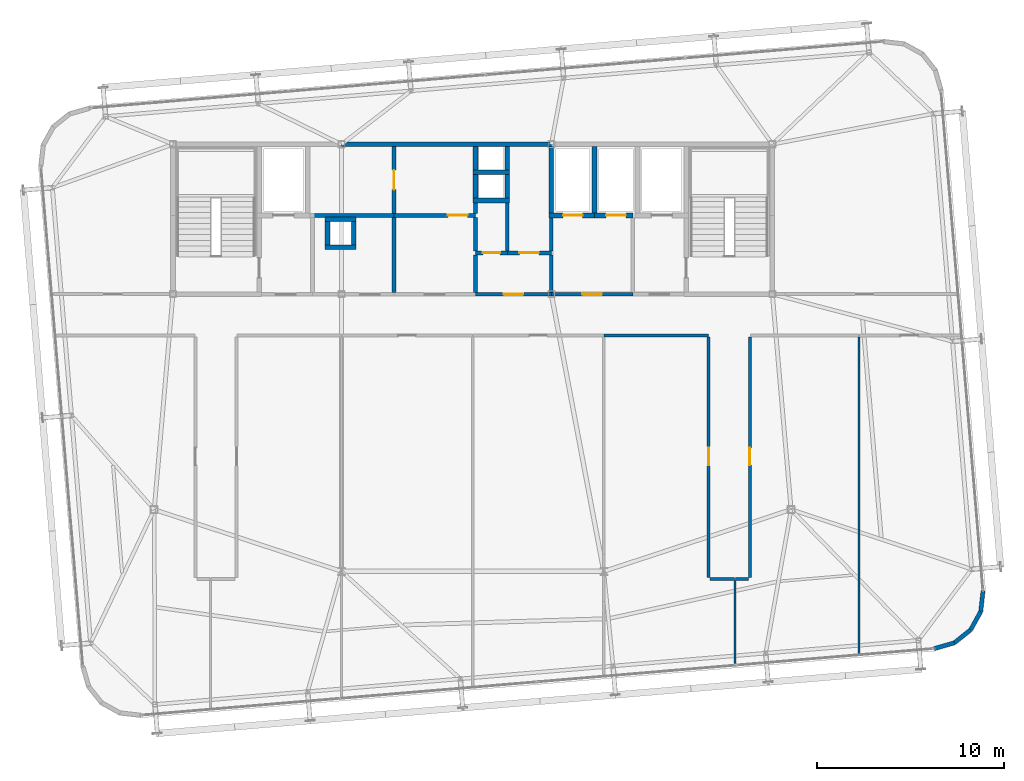
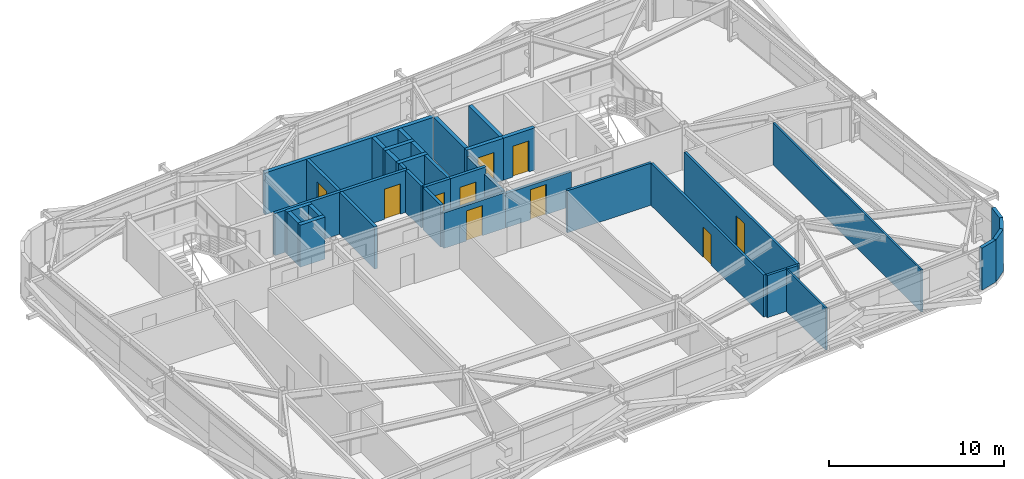
# One storey, part 34 of 37: 40 walls, 10 doors, 10 openings.
"""IFC4 building model written with IfcOpenShell, lengths in metres."""

import ifcopenshell
import ifcopenshell.guid

model = None  # the IFC model being written
_history = None  # IfcOwnerHistory: only IFC2X3 demands one
_inside = {}  # id of a spatial element -> (the spatial element, [elements in it])
_under = {}  # id of a project, library or spatial element -> (it, [spatial elements below it])
_declared = {}  # id of a project -> (the project, [libraries it declares])
_typed = {}  # id of a type object -> (the type object, [elements of that type])
_made_of = {}  # id of a material, layer set ... -> (it, [elements and type objects made of it])


def new_model(schema):
    """Start an empty IFC model of exactly this schema.

    Asked for "IFC4X3", IfcOpenShell would pick the latest addendum, in which some entities
    have other attributes; the version numbers below select the first issue.
    IFC2X3 requires an IfcOwnerHistory on every rooted entity: one is made here for all.
    """
    global model, _history
    if schema == "IFC4X3":
        model = ifcopenshell.file(schema_version=(4, 3, 0, 0))
    else:
        model = ifcopenshell.file(schema=schema)
    _inside.clear()
    _under.clear()
    _declared.clear()
    _typed.clear()
    _made_of.clear()
    _history = None
    if model.schema == "IFC2X3":
        org = make("IfcOrganization", Name="unknown")
        user = make(
            "IfcPersonAndOrganization",
            ThePerson=make("IfcPerson", FamilyName="unknown"),
            TheOrganization=org,
        )
        app = make(
            "IfcApplication",
            ApplicationDeveloper=org,
            Version="unknown",
            ApplicationFullName="unknown",
            ApplicationIdentifier="unknown",
        )
        _history = make(
            "IfcOwnerHistory",
            OwningUser=user,
            OwningApplication=app,
            ChangeAction="ADDED",
            CreationDate=0,
        )
    return model


def make(cls, **values):
    """One entity of the class cls with the attributes given. An attribute that is None is left unset."""
    return model.create_entity(
        cls, **{name: value for name, value in values.items() if value is not None}
    )


def rooted(cls, **values):
    """An entity with a GlobalId (a new one), such as an element, a storey or a relation."""
    return make(cls, GlobalId=ifcopenshell.guid.new(), OwnerHistory=_history, **values)


def si_unit(unit_type, name, prefix=None):
    """IfcSIUnit, for example si_unit("LENGTHUNIT", "METRE", prefix="MILLI")."""
    return make("IfcSIUnit", UnitType=unit_type, Prefix=prefix, Name=name)


def assignment(units):
    """IfcUnitAssignment: the units of a project."""
    return None if units is None else make("IfcUnitAssignment", Units=units)


def point(xyz):
    """IfcCartesianPoint."""
    return None if xyz is None else make("IfcCartesianPoint", Coordinates=xyz)


def direction(xyz):
    """IfcDirection."""
    return None if xyz is None else make("IfcDirection", DirectionRatios=xyz)


def frame(location, z_axis=None, x_axis=None):
    """IfcAxis2Placement3D, a coordinate frame: its origin and axes. An axis left out is left unset."""
    return make(
        "IfcAxis2Placement3D",
        Location=point(location),
        Axis=direction(z_axis),
        RefDirection=direction(x_axis),
    )


def frame_2d(location, x_axis=None):
    """IfcAxis2Placement2D, a coordinate frame in the plane: its origin and x axis."""
    return make(
        "IfcAxis2Placement2D", Location=point(location), RefDirection=direction(x_axis)
    )


def origin():
    """The frame at (0, 0, 0) with its axes left unset."""
    return frame((0.0, 0.0, 0.0))


def place(relative_to, where):
    """IfcLocalPlacement: puts the frame where relative to a parent placement (None: the world)."""
    return make(
        "IfcLocalPlacement", PlacementRelTo=relative_to, RelativePlacement=where
    )


def context(
    kind, dimensions, precision=None, world=None, true_north=None, identifier=None
):
    """IfcGeometricRepresentationContext, for example the 3D "Model" context."""
    return make(
        "IfcGeometricRepresentationContext",
        ContextIdentifier=identifier,
        ContextType=kind,
        CoordinateSpaceDimension=dimensions,
        Precision=precision,
        WorldCoordinateSystem=world,
        TrueNorth=true_north,
    )


def subcontext(parent, identifier, kind, view, scale=None):
    """IfcGeometricRepresentationSubContext, for example "Body" below "Model"."""
    return make(
        "IfcGeometricRepresentationSubContext",
        ContextIdentifier=identifier,
        ContextType=kind,
        ParentContext=parent,
        TargetScale=scale,
        TargetView=view,
    )


def project(units=None, contexts=None):
    """IfcProject with its units and contexts."""
    return rooted(
        "IfcProject",
        Name="project",
        RepresentationContexts=contexts,
        UnitsInContext=assignment(units),
    )


def spatial(cls, under=None, at=None, **own):
    """A site, building, storey or space (cls), placed at a placement, below another one or the project."""
    s = rooted(cls, ObjectPlacement=at, **own)
    if under is not None:
        _under.setdefault(under.id(), (under, []))[1].append(s)
    return s


def profile(cls, at=None, kind="AREA", **sizes):
    """A parametric profile (cls). Its sizes go by their IFC names, for example OverallWidth=200.0."""
    return make(cls, ProfileType=kind, Position=at, **sizes)


def rectangle(**sizes):
    """IfcRectangleProfileDef."""
    return profile("IfcRectangleProfileDef", **sizes)


def extrude(swept, where, along, depth):
    """IfcExtrudedAreaSolid: the profile swept, set in the frame where, extruded along a direction by depth."""
    return make(
        "IfcExtrudedAreaSolid",
        SweptArea=swept,
        Position=where,
        ExtrudedDirection=direction(along),
        Depth=depth,
    )


def shape(context_of_items, identifier, shape_type, items):
    """IfcShapeRepresentation: the items that make up one representation, for example the "Body"."""
    return make(
        "IfcShapeRepresentation",
        ContextOfItems=context_of_items,
        RepresentationIdentifier=identifier,
        RepresentationType=shape_type,
        Items=items,
    )


def source(mapping_origin, context_of_items, identifier, shape_type, items):
    """IfcRepresentationMap: a shape defined once, which mapped items show again and again."""
    return make(
        "IfcRepresentationMap",
        MappingOrigin=mapping_origin,
        MappedRepresentation=shape(context_of_items, identifier, shape_type, items),
    )


def transform(
    local_origin,
    x_axis=None,
    y_axis=None,
    z_axis=None,
    scale=None,
    scale2=None,
    scale3=None,
    uniform=True,
):
    """IfcCartesianTransformationOperator3D, or its non-uniform kind. x_axis, y_axis, z_axis: its Axis1, 2, 3."""
    if uniform:
        return make(
            "IfcCartesianTransformationOperator3D",
            Axis1=direction(x_axis),
            Axis2=direction(y_axis),
            LocalOrigin=point(local_origin),
            Scale=scale,
            Axis3=direction(z_axis),
        )
    return make(
        "IfcCartesianTransformationOperator3DnonUniform",
        Axis1=direction(x_axis),
        Axis2=direction(y_axis),
        LocalOrigin=point(local_origin),
        Scale=scale,
        Axis3=direction(z_axis),
        Scale2=scale2,
        Scale3=scale3,
    )


def mapped(mapping_source, mapping_target):
    """IfcMappedItem: shows the shape of a source again, moved by a transform."""
    return make(
        "IfcMappedItem", MappingSource=mapping_source, MappingTarget=mapping_target
    )


def material(Name=None, Category=None):
    """IfcMaterial."""
    return make("IfcMaterial", Name=Name, Category=Category)


def layer(
    of_material, thickness, ventilated=None, Name=None, Category=None, Priority=None
):
    """IfcMaterialLayer: one layer of a wall or slab, of a material (None: an air gap)."""
    return make(
        "IfcMaterialLayer",
        Material=of_material,
        LayerThickness=thickness,
        IsVentilated=ventilated,
        Name=Name,
        Category=Category,
        Priority=Priority,
    )


def layer_set(layers, Name=None):
    """IfcMaterialLayerSet."""
    return make("IfcMaterialLayerSet", MaterialLayers=layers, LayerSetName=Name)


def made_of(thing, what):
    """Note that an element or type object is made of a material, layer set ...; save() writes the relation."""
    if what is not None:
        _made_of.setdefault(what.id(), (what, []))[1].append(thing)
    return thing


def type_object(cls, material=None, **own):
    """A type object (cls), such as IfcWallType, which elements share."""
    return made_of(rooted(cls, **own), material)


def element(
    cls,
    number,
    at=None,
    inside=None,
    cuts=None,
    type_object=None,
    material=None,
    context=None,
    identifier="Body",
    shape_type=None,
    held_by="IfcProductDefinitionShape",
    body=None,
    shapes=None,
    **own,
):
    """One element of the class cls, such as IfcWall. Its Tag is "e" and its number.

    at: its placement. inside: the storey or other place that contains it. cuts: it is an
    opening in that element (IfcRelVoidsElement). A single representation is given by context,
    identifier, shape_type and body (its items); several are given by shapes. held_by: the class
    of the entity that holds the representations. save() writes the other relations.
    """
    e = rooted(cls, Tag="e%d" % number, ObjectPlacement=at, **own)
    if body is not None:
        shapes = [shape(context, identifier, shape_type, body)]
    if shapes is not None:
        e.Representation = make(held_by, Representations=shapes)
    if inside is not None:
        _inside.setdefault(inside.id(), (inside, []))[1].append(e)
    if cuts is not None:
        rooted(
            "IfcRelVoidsElement", RelatingBuildingElement=cuts, RelatedOpeningElement=e
        )
    if type_object is not None:
        _typed.setdefault(type_object.id(), (type_object, []))[1].append(e)
    return made_of(e, material)


def fill(opening, filler):
    """IfcRelFillsElement: the door or window that sits in an opening."""
    return rooted(
        "IfcRelFillsElement",
        RelatingOpeningElement=opening,
        RelatedBuildingElement=filler,
    )


def aggregate(whole, parts):
    """IfcRelAggregates: a whole, such as a stair, and the parts it consists of."""
    return rooted("IfcRelAggregates", RelatingObject=whole, RelatedObjects=parts)


def save(model, path):
    """Write the relations noted so far, then the file.

    IfcRelAggregates (storeys below a building ...), IfcRelContainedInSpatialStructure (elements
    in a storey), IfcRelDefinesByType, IfcRelAssociatesMaterial and IfcRelDeclares: one each for
    every whole, place, type object, material and project.
    """
    for whole, parts in _under.values():
        aggregate(whole, parts)
    for where, things in _inside.values():
        rooted(
            "IfcRelContainedInSpatialStructure",
            RelatedElements=things,
            RelatingStructure=where,
        )
    for kind, things in _typed.values():
        rooted("IfcRelDefinesByType", RelatedObjects=things, RelatingType=kind)
    for what, things in _made_of.values():
        rooted("IfcRelAssociatesMaterial", RelatedObjects=things, RelatingMaterial=what)
    for by, libraries in _declared.values():
        rooted("IfcRelDeclares", RelatingContext=by, RelatedDefinitions=libraries)
    model.write(path)


model = new_model("IFC4")

# Units and contexts
model_context = context("Model", 3, precision=1e-05, world=origin(), true_north=direction((0.0, 1.0)))
body_context = subcontext(model_context, "Body", "Model", "MODEL_VIEW")
ifc_project = project(units=[si_unit("LENGTHUNIT", "METRE"), si_unit("AREAUNIT", "SQUARE_METRE"), si_unit("VOLUMEUNIT", "CUBIC_METRE"), si_unit("PLANEANGLEUNIT", "RADIAN"), si_unit("MASSUNIT", "GRAM", prefix="KILO")], contexts=[model_context])

# Site, building, storey
site_placement = place(None, origin())
site = spatial("IfcSite", under=ifc_project, at=site_placement, CompositionType="ELEMENT")
building_placement = place(site_placement, origin())
building = spatial("IfcBuilding", under=site, at=building_placement, Name="Taldren Reach Tower", CompositionType="ELEMENT")
storey_placement = place(building_placement, frame((0.0, 0.0, 182.0)))
storey = spatial("IfcBuildingStorey", under=building, at=storey_placement, Name="L55", CompositionType="ELEMENT", Elevation=182.0)

# Walls
ifc_material_1 = material(Name="Pale Champagne Anodised Aluminium Cladding", Category="aluminium")
ifc_layer_1 = layer(ifc_material_1, 0.04, Name="Pale Champagne Anodised Aluminium Cladding", Category="aluminium")
ifc_material_2 = material(Name="Mineral Wool Acoustic Insulation", Category="insulation")
ifc_layer_2 = layer(ifc_material_2, 0.06, Name="Mineral Wool Acoustic Insulation", Category="insulation")
ifc_material_3 = material(Name="Steel Gr 350 (C350L0)", Category="steel")
ifc_layer_3 = layer(ifc_material_3, 0.12, Name="Steel Gr 350 (C350L0)", Category="steel")
ifc_layer_set_1 = layer_set([ifc_layer_1, ifc_layer_2, ifc_layer_3], Name="Pale Champagne Aluminium Cladding and Steel Gr 350 Stud Framing")
wall_type_1 = type_object("IfcWallType", Name="EW-CRN-220", PredefinedType="SOLIDWALL", material=ifc_layer_set_1)
shared_shape_1 = source(origin(), body_context, "Body", "SweptSolid", [
    extrude(rectangle(XDim=1.115966796875, YDim=0.219970703125, at=frame_2d((0.55810546875, 0.0))), origin(), (0.0, 0.0, 1.0), 2.929931640625),
])
for number, where, z_axis, x_axis, name in (
    (1, (59.635986328125, 5.0751953125, 0.0), (0.0, 0.0, 1.0), (0.961010464297, 0.276512002475, 0.0), "Rounded-corner pale-metal facade wall L55-SE1"),
    (2, (60.70849609375, 5.3837890625, 0.0), (0.0, 0.0, 1.0), (0.782147847222, 0.623092886403, 0.0), "Rounded-corner pale-metal facade wall L55-SE2"),
    (3, (61.581298828125, 6.0791015625, 0.0), (0.0, 0.0, 1.0), (0.483933071672, 0.875105012065, 0.0), "Rounded-corner pale-metal facade wall L55-SE3"),
    (4, (62.121337890625, 7.0556640625, 0.0), (0.0, 0.0, 1.0), (0.112448259968, 0.993657581277, 0.0), "Rounded-corner pale-metal facade wall L55-SE4"),
):
    element("IfcWall", number, at=place(storey_placement, frame(where, z_axis=z_axis, x_axis=x_axis)), inside=storey, type_object=wall_type_1, Name=name, PredefinedType="SOLIDWALL", context=body_context, shape_type="MappedRepresentation", body=[
        mapped(shared_shape_1, transform((0.0, 0.0, 0.0), scale=1.0)),
    ])

# Wall, opening, door
ifc_material_4 = material(Name="Concrete S50 (50 MPa)", Category="concrete")
ifc_layer_4 = layer(ifc_material_4, 0.199951171875)
ifc_layer_set_2 = layer_set([ifc_layer_4], Name="Concrete S50 (50 MPa)")
wall_type_2 = type_object("IfcWallType", Name="IW-CORE-200", PredefinedType="SOLIDWALL", material=ifc_layer_set_2)
shared_shape_2 = source(origin(), body_context, "Body", "SweptSolid", [
    extrude(rectangle(XDim=4.35009765625, YDim=0.199951171875, at=frame_2d((2.175048828125, 0.0))), origin(), (0.0, 0.0, 1.0), 2.39697265625),
])
wall_1_placement = place(storey_placement, frame((43.550048828125, 24.0, 0.0), z_axis=(0.0, 0.0, 1.0), x_axis=(-1.0, 0.0, 0.0)))
wall_1 = element("IfcWall", 5, at=wall_1_placement, inside=storey, type_object=wall_type_2, Name="Rear Core Shear Wall W-INT-L55-031", PredefinedType="SOLIDWALL", context=body_context, shape_type="MappedRepresentation", body=[
    mapped(shared_shape_2, transform((0.0, 0.0, 0.0), scale=1.0)),
])
shared_shape_3 = source(origin(), body_context, "Body", "SweptSolid", [
    extrude(rectangle(XDim=1.050048828125, YDim=2.10009765625, at=frame_2d((0.52490234375, 1.050048828125))), frame((0.0, 0.10986328125, 0.0), z_axis=(0.0, -1.0, 0.0), x_axis=(1.0, 0.0, 0.0)), (0.0, 0.0, 1.0), 0.219970703125),
])
opening_1_placement = place(wall_1_placement, frame((1.64990234375, 0.0, 0.0)))
opening_1 = element("IfcOpeningElement", 6, at=opening_1_placement, cuts=wall_1, Name="Opening DF-105", PredefinedType="OPENING", context=body_context, shape_type="MappedRepresentation", body=[
    mapped(shared_shape_3, transform((0.0, 0.0, 0.0), scale=1.0)),
])
ifc_material_5 = material(Name="Fire-Rated Care and Stair Exit Door")
door_type_1 = type_object("IfcDoorType", Name="ID-FIRE-105", OperationType="NOTDEFINED", PredefinedType="DOOR", material=ifc_material_5)
shared_shape_4 = source(origin(), body_context, "Body", "SweptSolid", [
    extrude(rectangle(XDim=1.050048828125, YDim=2.10009765625, at=frame_2d((0.52490234375, 1.050048828125))), frame((0.0, 0.02490234375, 0.0), z_axis=(0.0, -1.0, 0.0), x_axis=(1.0, 0.0, 0.0)), (0.0, 0.0, 1.0), 0.050048828125),
])
door_1_placement = place(opening_1_placement, frame((1.050048828125, 0.0, 0.0), z_axis=(0.0, 0.0, 1.0), x_axis=(-1.0, 0.0, 0.0)))
door_1 = element("IfcDoor", 7, at=door_1_placement, inside=storey, type_object=door_type_1, Name="Interior Door DR-L55-005", OperationType="SINGLE_SWING_LEFT", OverallHeight=2.10009765625, OverallWidth=1.050048828125, PredefinedType="DOOR", context=body_context, shape_type="MappedRepresentation", body=[
    mapped(shared_shape_4, transform((0.0, 0.0, 0.0), scale=1.0)),
])
fill(opening_1, door_1)

# Walls
shared_shape_5 = source(origin(), body_context, "Body", "SweptSolid", [
    extrude(rectangle(XDim=2.0, YDim=0.199951171875, at=frame_2d((1.0, 0.0))), origin(), (0.0, 0.0, 1.0), 2.469970703125),
])
wall_2_placement = place(storey_placement, frame((39.199951171875, 24.10009765625, 0.0), z_axis=(0.0, 0.0, 1.0), x_axis=(0.0, 1.0, 0.0)))
element("IfcWall", 8, at=wall_2_placement, inside=storey, type_object=wall_type_2, Name="Rear Core Shear Wall W-INT-L55-029", PredefinedType="SOLIDWALL", context=body_context, shape_type="MappedRepresentation", body=[
    mapped(shared_shape_5, transform((0.0, 0.0, 0.0), scale=1.0)),
])
ifc_material_6 = material(Name="Fire-Rated Acoustic Plasterboard Stud Wall", Category="gypsum")
ifc_layer_5 = layer(ifc_material_6, 0.159912109375)
ifc_layer_set_3 = layer_set([ifc_layer_5], Name="Fire-Rated Acoustic Plasterboard Stud Wall")
wall_type_3 = type_object("IfcWallType", Name="IW-FIRE-160", PredefinedType="PARTITIONING", material=ifc_layer_set_3)
shared_shape_6 = source(origin(), body_context, "Body", "SweptSolid", [
    extrude(rectangle(XDim=1.2998046875, YDim=0.159912109375, at=frame_2d((0.64990234375, 0.0))), origin(), (0.0, 0.0, 1.0), 2.929931640625),
])
wall_3_placement = place(storey_placement, frame((48.979736328125, 8.800048828125, 0.0), z_axis=(0.0, 0.0, 1.0), x_axis=(-1.0, 0.0, 0.0)))
element("IfcWall", 9, at=wall_3_placement, inside=storey, type_object=wall_type_3, Name="Interior Partition Wall W-INT-L55-057", PredefinedType="PARTITIONING", context=body_context, shape_type="MappedRepresentation", body=[
    mapped(shared_shape_6, transform((0.0, 0.0, 0.0), scale=1.0)),
])
shared_shape_7 = source(origin(), body_context, "Body", "SweptSolid", [
    extrude(rectangle(XDim=0.69970703125, YDim=0.159912109375, at=frame_2d((0.349853515625, 0.0))), origin(), (0.0, 0.0, 1.0), 2.929931640625),
])
wall_4_placement = place(storey_placement, frame((49.719970703125, 8.800048828125, 0.0), z_axis=(0.0, 0.0, 1.0), x_axis=(-1.0, 0.0, 0.0)))
element("IfcWall", 10, at=wall_4_placement, inside=storey, type_object=wall_type_3, Name="Interior Partition Wall W-INT-L55-060", PredefinedType="PARTITIONING", context=body_context, shape_type="MappedRepresentation", body=[
    mapped(shared_shape_7, transform((0.0, 0.0, 0.0), scale=1.0)),
])
shared_shape_8 = source(origin(), body_context, "Body", "SweptSolid", [
    extrude(rectangle(XDim=4.0, YDim=0.199951171875, at=frame_2d((2.0, 0.0))), origin(), (0.0, 0.0, 1.0), 2.929931640625),
])
wall_5_placement = place(storey_placement, frame((30.800048828125, 28.10009765625, 0.0), z_axis=(0.0, 0.0, 1.0), x_axis=(0.0, -1.0, 0.0)))
element("IfcWall", 11, at=wall_5_placement, inside=storey, type_object=wall_type_2, Name="Rear Core Shear Wall W-INT-L55-033", PredefinedType="SOLIDWALL", context=body_context, shape_type="MappedRepresentation", body=[
    mapped(shared_shape_8, transform((0.0, 0.0, 0.0), scale=1.0)),
])
shared_shape_9 = source(origin(), body_context, "Body", "SweptSolid", [
    extrude(rectangle(XDim=2.0, YDim=0.199951171875, at=frame_2d((1.0, 0.0))), origin(), (0.0, 0.0, 1.0), 2.929931640625),
])
wall_6_placement = place(storey_placement, frame((35.14990234375, 26.10009765625, 0.0), z_axis=(0.0, 0.0, 1.0), x_axis=(0.0, -1.0, 0.0)))
element("IfcWall", 12, at=wall_6_placement, inside=storey, type_object=wall_type_2, Name="Rear Core Shear Wall W-INT-L55-037", PredefinedType="SOLIDWALL", context=body_context, shape_type="MappedRepresentation", body=[
    mapped(shared_shape_9, transform((0.0, 0.0, 0.0), scale=1.0)),
])
shared_shape_10 = source(origin(), body_context, "Body", "SweptSolid", [
    extrude(rectangle(XDim=4.35009765625, YDim=0.199951171875, at=frame_2d((2.175048828125, 0.0))), origin(), (0.0, 0.0, 1.0), 2.929931640625),
])
wall_7_placement = place(storey_placement, frame((26.449951171875, 28.199951171875, 0.0), z_axis=(0.0, 0.0, 1.0), x_axis=(1.0, 0.0, 0.0)))
element("IfcWall", 13, at=wall_7_placement, inside=storey, type_object=wall_type_2, Name="Rear Core Shear Wall W-INT-L55-032", PredefinedType="SOLIDWALL", context=body_context, shape_type="MappedRepresentation", body=[
    mapped(shared_shape_10, transform((0.0, 0.0, 0.0), scale=1.0)),
])
ifc_material_7 = material(Name="Concrete S65 (65 MPa)", Category="concrete")
ifc_layer_6 = layer(ifc_material_7, 0.25)
ifc_layer_set_4 = layer_set([ifc_layer_6], Name="Concrete S65 (65 MPa)")
wall_type_4 = type_object("IfcWallType", Name="IW-CORE-250", PredefinedType="SHEAR", material=ifc_layer_set_4)
shared_shape_11 = source(origin(), body_context, "Body", "SweptSolid", [
    extrude(rectangle(XDim=11.199951171875, YDim=0.25, at=frame_2d((5.60009765625, 0.0))), origin(), (0.0, 0.0, 1.0), 2.929931640625),
])
wall_8_placement = place(storey_placement, frame((28.0, 32.0, 0.0), z_axis=(0.0, 0.0, 1.0), x_axis=(1.0, 0.0, 0.0)))
element("IfcWall", 14, at=wall_8_placement, inside=storey, type_object=wall_type_4, Name="Rear Core Shear Wall W-CORE-L55-NORTH2", PredefinedType="SHEAR", context=body_context, shape_type="MappedRepresentation", body=[
    mapped(shared_shape_11, transform((0.0, 0.0, 0.0), scale=1.0)),
])
shared_shape_12 = source(origin(), body_context, "Body", "SweptSolid", [
    extrude(rectangle(XDim=3.550048828125, YDim=0.25, at=frame_2d((1.77490234375, 0.0))), origin(), (0.0, 0.0, 1.0), 2.929931640625),
])
for number, where, z_axis, x_axis, name in (
    (15, (41.5, 28.324951171875, 0.0), (0.0, 0.0, 1.0), (0.0, 1.0, 0.0), "Rear Core Shear Wall W-INT-L55-025"),
    (16, (39.199951171875, 31.875, 0.0), (0.0, 0.0, 1.0), (0.0, -1.0, 0.0), "Rear Core Shear Wall W-INT-L55-027"),
):
    element("IfcWall", number, at=place(storey_placement, frame(where, z_axis=z_axis, x_axis=x_axis)), inside=storey, type_object=wall_type_4, Name=name, PredefinedType="SHEAR", context=body_context, shape_type="MappedRepresentation", body=[
        mapped(shared_shape_12, transform((0.0, 0.0, 0.0), scale=1.0)),
    ])
shared_shape_13 = source(origin(), body_context, "Body", "SweptSolid", [
    extrude(rectangle(XDim=1.9501953125, YDim=0.25, at=frame_2d((0.97509765625, 0.0))), origin(), (0.0, 0.0, 1.0), 2.929931640625),
])
for number, where, z_axis, x_axis, name in (
    (17, (35.02490234375, 30.5, 0.0), (0.0, 0.0, 1.0), (1.0, 0.0, 0.0), "Rear Core Shear Wall W-INT-L55-015"),
    (18, (35.02490234375, 29.0, 0.0), (0.0, 0.0, 1.0), (1.0, 0.0, 0.0), "Rear Core Shear Wall W-INT-L55-019"),
):
    element("IfcWall", number, at=place(storey_placement, frame(where, z_axis=z_axis, x_axis=x_axis)), inside=storey, type_object=wall_type_4, Name=name, PredefinedType="SHEAR", context=body_context, shape_type="MappedRepresentation", body=[
        mapped(shared_shape_13, transform((0.0, 0.0, 0.0), scale=1.0)),
    ])
shared_shape_14 = source(origin(), body_context, "Body", "SweptSolid", [
    extrude(rectangle(XDim=1.25, YDim=0.25, at=frame_2d((0.625, 0.0))), origin(), (0.0, 0.0, 1.0), 2.929931640625),
])
for number, where, z_axis, x_axis, name in (
    (19, (35.14990234375, 31.875, 0.0), (0.0, 0.0, 1.0), (0.0, -1.0, 0.0), "Rear Core Shear Wall W-INT-L55-016"),
    (20, (36.85009765625, 30.625, 0.0), (0.0, 0.0, 1.0), (0.0, 1.0, 0.0), "Rear Core Shear Wall W-INT-L55-017"),
    (21, (35.14990234375, 30.375, 0.0), (0.0, 0.0, 1.0), (0.0, -1.0, 0.0), "Rear Core Shear Wall W-INT-L55-018"),
    (22, (36.85009765625, 29.125, 0.0), (0.0, 0.0, 1.0), (0.0, 1.0, 0.0), "Rear Core Shear Wall W-INT-L55-020"),
    (23, (28.64990234375, 26.625, 0.0), (0.0, 0.0, 1.0), (0.0, 1.0, 0.0), "Rear Core Shear Wall W-INT-L55-021"),
    (24, (27.25, 27.875, 0.0), (0.0, 0.0, 1.0), (0.0, -1.0, 0.0), "Rear Core Shear Wall W-INT-L55-022"),
):
    element("IfcWall", number, at=place(storey_placement, frame(where, z_axis=z_axis, x_axis=x_axis)), inside=storey, type_object=wall_type_4, Name=name, PredefinedType="SHEAR", context=body_context, shape_type="MappedRepresentation", body=[
        mapped(shared_shape_14, transform((0.0, 0.0, 0.0), scale=1.0)),
    ])
shared_shape_15 = source(origin(), body_context, "Body", "SweptSolid", [
    extrude(rectangle(XDim=1.64990234375, YDim=0.25, at=frame_2d((0.824951171875, 0.0))), origin(), (0.0, 0.0, 1.0), 2.929931640625),
])
for number, where, z_axis, x_axis, name in (
    (25, (28.77490234375, 28.0, 0.0), (0.0, 0.0, 1.0), (-1.0, 0.0, 0.0), "Rear Core Shear Wall W-INT-L55-023"),
    (26, (27.125, 26.5, 0.0), (0.0, 0.0, 1.0), (1.0, 0.0, 0.0), "Rear Core Shear Wall W-INT-L55-024"),
):
    element("IfcWall", number, at=place(storey_placement, frame(where, z_axis=z_axis, x_axis=x_axis)), inside=storey, type_object=wall_type_4, Name=name, PredefinedType="SHEAR", context=body_context, shape_type="MappedRepresentation", body=[
        mapped(shared_shape_15, transform((0.0, 0.0, 0.0), scale=1.0)),
    ])

# Wall, opening, door
shared_shape_16 = source(origin(), body_context, "Body", "SweptSolid", [
    extrude(rectangle(XDim=2.425048828125, YDim=0.25, at=frame_2d((1.21240234375, 0.0))), origin(), (0.0, 0.0, 1.0), 2.929931640625),
])
wall_9_placement = place(storey_placement, frame((39.074951171875, 28.199951171875, 0.0), z_axis=(0.0, 0.0, 1.0), x_axis=(1.0, 0.0, 0.0)))
wall_9 = element("IfcWall", 27, at=wall_9_placement, inside=storey, type_object=wall_type_4, Name="Rear Core Shear Wall W-INT-L55-026", PredefinedType="SHEAR", context=body_context, shape_type="MappedRepresentation", body=[
    mapped(shared_shape_16, transform((0.0, 0.0, 0.0), scale=1.0)),
])
shared_shape_17 = source(origin(), body_context, "Body", "SweptSolid", [
    extrude(rectangle(XDim=1.050048828125, YDim=2.14990234375, at=frame_2d((0.52490234375, 1.074951171875))), frame((0.0, 0.135009765625, 0.0), z_axis=(0.0, -1.0, 0.0), x_axis=(1.0, 0.0, 0.0)), (0.0, 0.0, 1.0), 0.27001953125),
])
opening_2_placement = place(wall_9_placement, frame((0.75, 0.0, 0.0)))
opening_2 = element("IfcOpeningElement", 28, at=opening_2_placement, cuts=wall_9, Name="Opening LD-PH1", PredefinedType="OPENING", context=body_context, shape_type="MappedRepresentation", body=[
    mapped(shared_shape_17, transform((0.0, 0.0, 0.0), scale=1.0)),
])
ifc_material_8 = material(Name="Stainless Steel Gr 316 Passenger Lift Landing Door", Category="steel")
door_type_2 = type_object("IfcDoorType", Name="LD-PAS-105", OperationType="SLIDING_TO_LEFT", PredefinedType="DOOR", material=ifc_material_8)
shared_shape_18 = source(origin(), body_context, "Body", "SweptSolid", [
    extrude(rectangle(XDim=1.050048828125, YDim=2.14990234375, at=frame_2d((0.52490234375, 1.074951171875))), frame((0.0, 0.02490234375, 0.0), z_axis=(0.0, -1.0, 0.0), x_axis=(1.0, 0.0, 0.0)), (0.0, 0.0, 1.0), 0.050048828125),
])
door_2_placement = place(opening_2_placement, origin())
door_2 = element("IfcDoor", 29, at=door_2_placement, inside=storey, type_object=door_type_2, Name="Lift Landing Door LD-PH1-L55", OperationType="SLIDING_TO_LEFT", OverallHeight=2.14990234375, OverallWidth=1.050048828125, PredefinedType="DOOR", context=body_context, shape_type="MappedRepresentation", body=[
    mapped(shared_shape_18, transform((0.0, 0.0, 0.0), scale=1.0)),
])
fill(opening_2, door_2)

shared_shape_19 = source(origin(), body_context, "Body", "SweptSolid", [
    extrude(rectangle(XDim=2.070068359375, YDim=0.25, at=frame_2d((1.03515625, 0.0))), origin(), (0.0, 0.0, 1.0), 2.929931640625),
])
wall_10_placement = place(storey_placement, frame((41.5, 28.199951171875, 0.0), z_axis=(0.0, 0.0, 1.0), x_axis=(1.0, 0.0, 0.0)))
wall_10 = element("IfcWall", 30, at=wall_10_placement, inside=storey, type_object=wall_type_4, Name="Rear Core Shear Wall W-INT-L55-028", PredefinedType="SHEAR", context=body_context, shape_type="MappedRepresentation", body=[
    mapped(shared_shape_19, transform((0.0, 0.0, 0.0), scale=1.0)),
])
opening_3_placement = place(wall_10_placement, frame((0.625, 0.0, 0.0)))
opening_3 = element("IfcOpeningElement", 31, at=opening_3_placement, cuts=wall_10, Name="Opening LD-PH2", PredefinedType="OPENING", context=body_context, shape_type="MappedRepresentation", body=[
    mapped(shared_shape_17, transform((0.0, 0.0, 0.0), scale=1.0)),
])
door_3_placement = place(opening_3_placement, origin())
door_3 = element("IfcDoor", 32, at=door_3_placement, inside=storey, type_object=door_type_2, Name="Lift Landing Door LD-PH2-L55", OperationType="SLIDING_TO_LEFT", OverallHeight=2.14990234375, OverallWidth=1.050048828125, PredefinedType="DOOR", context=body_context, shape_type="MappedRepresentation", body=[
    mapped(shared_shape_18, transform((0.0, 0.0, 0.0), scale=1.0)),
])
fill(opening_3, door_3)

shared_shape_20 = source(origin(), body_context, "Body", "SweptSolid", [
    extrude(rectangle(XDim=4.050048828125, YDim=0.199951171875, at=frame_2d((2.02490234375, 0.0))), origin(), (0.0, 0.0, 1.0), 2.469970703125),
])
wall_11_placement = place(storey_placement, frame((39.199951171875, 24.0, 0.0), z_axis=(0.0, 0.0, 1.0), x_axis=(-1.0, 0.0, 0.0)))
wall_11 = element("IfcWall", 33, at=wall_11_placement, inside=storey, type_object=wall_type_2, Name="Rear Core Shear Wall W-INT-L55-043", PredefinedType="SOLIDWALL", context=body_context, shape_type="MappedRepresentation", body=[
    mapped(shared_shape_20, transform((0.0, 0.0, 0.0), scale=1.0)),
])
opening_4_placement = place(wall_11_placement, frame((1.5, 0.0, 0.0)))
opening_4 = element("IfcOpeningElement", 34, at=opening_4_placement, cuts=wall_11, Name="Opening DF-105", PredefinedType="OPENING", context=body_context, shape_type="MappedRepresentation", body=[
    mapped(shared_shape_3, transform((0.0, 0.0, 0.0), scale=1.0)),
])
door_4_placement = place(opening_4_placement, frame((1.050048828125, 0.0, 0.0), z_axis=(0.0, 0.0, 1.0), x_axis=(-1.0, 0.0, 0.0)))
door_4 = element("IfcDoor", 35, at=door_4_placement, inside=storey, type_object=door_type_1, Name="Interior Door DR-L55-012", OperationType="SINGLE_SWING_RIGHT", OverallHeight=2.10009765625, OverallWidth=1.050048828125, PredefinedType="DOOR", context=body_context, shape_type="MappedRepresentation", body=[
    mapped(shared_shape_4, transform((0.0, 0.0, 0.0), scale=1.0)),
])
fill(opening_4, door_4)

shared_shape_21 = source(origin(), body_context, "Body", "SweptSolid", [
    extrude(rectangle(XDim=12.840087890625, YDim=0.159912109375, at=frame_2d((6.419921875, 0.0))), origin(), (0.0, 0.0, 1.0), 2.929931640625),
])
wall_12_placement = place(storey_placement, frame((47.60009765625, 8.8798828125, 0.0), z_axis=(0.0, 0.0, 1.0), x_axis=(0.0, 1.0, 0.0)))
wall_12 = element("IfcWall", 36, at=wall_12_placement, inside=storey, type_object=wall_type_3, Name="Interior Partition Wall W-INT-L55-055", PredefinedType="PARTITIONING", context=body_context, shape_type="MappedRepresentation", body=[
    mapped(shared_shape_21, transform((0.0, 0.0, 0.0), scale=1.0)),
])
shared_shape_22 = source(origin(), body_context, "Body", "SweptSolid", [
    extrude(rectangle(XDim=0.919921875, YDim=2.10009765625, at=frame_2d((0.4599609375, 1.050048828125))), frame((0.0, 0.08984375, 0.0), z_axis=(0.0, -1.0, 0.0), x_axis=(1.0, 0.0, 0.0)), (0.0, 0.0, 1.0), 0.179931640625),
])
opening_5_placement = place(wall_12_placement, frame((5.98974609375, 0.0, 0.0)))
opening_5 = element("IfcOpeningElement", 37, at=opening_5_placement, cuts=wall_12, Name="Opening DI-092", PredefinedType="OPENING", context=body_context, shape_type="MappedRepresentation", body=[
    mapped(shared_shape_22, transform((0.0, 0.0, 0.0), scale=1.0)),
])
ifc_material_9 = material(Name="Solid-Core Timber Suite Door", Category="wood")
door_type_3 = type_object("IfcDoorType", Name="ID-INT-092", OperationType="NOTDEFINED", PredefinedType="DOOR", material=ifc_material_9)
shared_shape_23 = source(origin(), body_context, "Body", "SweptSolid", [
    extrude(rectangle(XDim=0.919921875, YDim=2.10009765625, at=frame_2d((0.4599609375, 1.050048828125))), frame((0.0, 0.02490234375, 0.0), z_axis=(0.0, -1.0, 0.0), x_axis=(1.0, 0.0, 0.0)), (0.0, 0.0, 1.0), 0.050048828125),
])
door_5_placement = place(opening_5_placement, origin())
door_5 = element("IfcDoor", 38, at=door_5_placement, inside=storey, type_object=door_type_3, Name="Interior Door DR-L55-019", OperationType="SINGLE_SWING_RIGHT", OverallHeight=2.10009765625, OverallWidth=0.919921875, PredefinedType="DOOR", context=body_context, shape_type="MappedRepresentation", body=[
    mapped(shared_shape_23, transform((0.0, 0.0, 0.0), scale=1.0)),
])
fill(opening_5, door_5)

wall_13_placement = place(storey_placement, frame((49.800048828125, 21.719970703125, 0.0), z_axis=(0.0, 0.0, 1.0), x_axis=(0.0, -1.0, 0.0)))
wall_13 = element("IfcWall", 39, at=wall_13_placement, inside=storey, type_object=wall_type_3, Name="Interior Partition Wall W-INT-L55-058", PredefinedType="PARTITIONING", context=body_context, shape_type="MappedRepresentation", body=[
    mapped(shared_shape_21, transform((0.0, 0.0, 0.0), scale=1.0)),
])
opening_6_placement = place(wall_13_placement, frame((5.93017578125, 0.0, 0.0)))
opening_6 = element("IfcOpeningElement", 40, at=opening_6_placement, cuts=wall_13, Name="Opening DI-092", PredefinedType="OPENING", context=body_context, shape_type="MappedRepresentation", body=[
    mapped(shared_shape_22, transform((0.0, 0.0, 0.0), scale=1.0)),
])
door_6_placement = place(opening_6_placement, origin())
door_6 = element("IfcDoor", 41, at=door_6_placement, inside=storey, type_object=door_type_3, Name="Interior Door DR-L55-020", OperationType="SINGLE_SWING_LEFT", OverallHeight=2.10009765625, OverallWidth=0.919921875, PredefinedType="DOOR", context=body_context, shape_type="MappedRepresentation", body=[
    mapped(shared_shape_23, transform((0.0, 0.0, 0.0), scale=1.0)),
])
fill(opening_6, door_6)

# Wall
shared_shape_24 = source(origin(), body_context, "Body", "SweptSolid", [
    extrude(rectangle(XDim=1.77490234375, YDim=0.199951171875, at=frame_2d((0.887451171875, 0.0))), origin(), (0.0, 0.0, 1.0), 2.469970703125),
])
wall_14_placement = place(storey_placement, frame((39.199951171875, 26.300048828125, 0.0), z_axis=(0.0, 0.0, 1.0), x_axis=(0.0, 1.0, 0.0)))
element("IfcWall", 42, at=wall_14_placement, inside=storey, type_object=wall_type_2, Name="Rear Core Shear Wall W-INT-L55-030", PredefinedType="SOLIDWALL", context=body_context, shape_type="MappedRepresentation", body=[
    mapped(shared_shape_24, transform((0.0, 0.0, 0.0), scale=1.0)),
])

# Wall, opening, door
shared_shape_25 = source(origin(), body_context, "Body", "SweptSolid", [
    extrude(rectangle(XDim=3.574951171875, YDim=0.199951171875, at=frame_2d((1.78759765625, 0.0))), origin(), (0.0, 0.0, 1.0), 2.929931640625),
])
wall_15_placement = place(storey_placement, frame((30.800048828125, 31.875, 0.0), z_axis=(0.0, 0.0, 1.0), x_axis=(0.0, -1.0, 0.0)))
wall_15 = element("IfcWall", 43, at=wall_15_placement, inside=storey, type_object=wall_type_2, Name="Rear Core Shear Wall W-INT-L55-035", PredefinedType="SOLIDWALL", context=body_context, shape_type="MappedRepresentation", body=[
    mapped(shared_shape_25, transform((0.0, 0.0, 0.0), scale=1.0)),
])
opening_7_placement = place(wall_15_placement, frame((1.25, 0.0, 0.0)))
opening_7 = element("IfcOpeningElement", 44, at=opening_7_placement, cuts=wall_15, Name="Opening DF-105", PredefinedType="OPENING", context=body_context, shape_type="MappedRepresentation", body=[
    mapped(shared_shape_3, transform((0.0, 0.0, 0.0), scale=1.0)),
])
door_7_placement = place(opening_7_placement, origin())
door_7 = element("IfcDoor", 45, at=door_7_placement, inside=storey, type_object=door_type_1, Name="Interior Door DR-L55-007", OperationType="SINGLE_SWING_RIGHT", OverallHeight=2.10009765625, OverallWidth=1.050048828125, PredefinedType="DOOR", context=body_context, shape_type="MappedRepresentation", body=[
    mapped(shared_shape_4, transform((0.0, 0.0, 0.0), scale=1.0)),
])
fill(opening_7, door_7)

shared_shape_26 = source(origin(), body_context, "Body", "SweptSolid", [
    extrude(rectangle(XDim=4.349853515625, YDim=0.199951171875, at=frame_2d((2.1748046875, 0.0))), origin(), (0.0, 0.0, 1.0), 2.929931640625),
])
wall_16_placement = place(storey_placement, frame((30.800048828125, 28.199951171875, 0.0), z_axis=(0.0, 0.0, 1.0), x_axis=(1.0, 0.0, 0.0)))
wall_16 = element("IfcWall", 46, at=wall_16_placement, inside=storey, type_object=wall_type_2, Name="Rear Core Shear Wall W-INT-L55-036", PredefinedType="SOLIDWALL", context=body_context, shape_type="MappedRepresentation", body=[
    mapped(shared_shape_26, transform((0.0, 0.0, 0.0), scale=1.0)),
])
opening_8_placement = place(wall_16_placement, frame((2.8798828125, 0.0, 0.0)))
opening_8 = element("IfcOpeningElement", 47, at=opening_8_placement, cuts=wall_16, Name="Opening DF-105", PredefinedType="OPENING", context=body_context, shape_type="MappedRepresentation", body=[
    mapped(shared_shape_3, transform((0.0, 0.0, 0.0), scale=1.0)),
])
door_8_placement = place(opening_8_placement, origin())
door_8 = element("IfcDoor", 48, at=door_8_placement, inside=storey, type_object=door_type_1, Name="Interior Door DR-L55-008", OperationType="SINGLE_SWING_RIGHT", OverallHeight=2.10009765625, OverallWidth=1.050048828125, PredefinedType="DOOR", context=body_context, shape_type="MappedRepresentation", body=[
    mapped(shared_shape_4, transform((0.0, 0.0, 0.0), scale=1.0)),
])
fill(opening_8, door_8)

# Walls
shared_shape_27 = source(origin(), body_context, "Body", "SweptSolid", [
    extrude(rectangle(XDim=1.800048828125, YDim=0.199951171875, at=frame_2d((0.89990234375, 0.0))), origin(), (0.0, 0.0, 1.0), 2.929931640625),
])
wall_17_placement = place(storey_placement, frame((35.14990234375, 28.10009765625, 0.0), z_axis=(0.0, 0.0, 1.0), x_axis=(0.0, -1.0, 0.0)))
element("IfcWall", 49, at=wall_17_placement, inside=storey, type_object=wall_type_2, Name="Rear Core Shear Wall W-INT-L55-038", PredefinedType="SOLIDWALL", context=body_context, shape_type="MappedRepresentation", body=[
    mapped(shared_shape_27, transform((0.0, 0.0, 0.0), scale=1.0)),
])
shared_shape_28 = source(origin(), body_context, "Body", "SweptSolid", [
    extrude(rectangle(XDim=0.574951171875, YDim=0.199951171875, at=frame_2d((0.28759765625, 0.0))), origin(), (0.0, 0.0, 1.0), 2.929931640625),
])
wall_18_placement = place(storey_placement, frame((35.14990234375, 28.875, 0.0), z_axis=(0.0, 0.0, 1.0), x_axis=(0.0, -1.0, 0.0)))
element("IfcWall", 50, at=wall_18_placement, inside=storey, type_object=wall_type_2, Name="Rear Core Shear Wall W-INT-L55-040", PredefinedType="SOLIDWALL", context=body_context, shape_type="MappedRepresentation", body=[
    mapped(shared_shape_28, transform((0.0, 0.0, 0.0), scale=1.0)),
])

# Wall, opening, door
shared_shape_29 = source(origin(), body_context, "Body", "SweptSolid", [
    extrude(rectangle(XDim=1.72021484375, YDim=0.199951171875, at=frame_2d((0.860107421875, 0.0))), origin(), (0.0, 0.0, 1.0), 2.929931640625),
])
wall_19_placement = place(storey_placement, frame((35.14990234375, 26.199951171875, 0.0), z_axis=(0.0, 0.0, 1.0), x_axis=(1.0, 0.0, 0.0)))
wall_19 = element("IfcWall", 51, at=wall_19_placement, inside=storey, type_object=wall_type_2, Name="Rear Core Shear Wall W-INT-L55-041", PredefinedType="SOLIDWALL", context=body_context, shape_type="MappedRepresentation", body=[
    mapped(shared_shape_29, transform((0.0, 0.0, 0.0), scale=1.0)),
])
shared_shape_30 = source(origin(), body_context, "Body", "SweptSolid", [
    extrude(rectangle(XDim=0.919921875, YDim=2.10009765625, at=frame_2d((0.4599609375, 1.050048828125))), frame((0.0, 0.10986328125, 0.0), z_axis=(0.0, -1.0, 0.0), x_axis=(1.0, 0.0, 0.0)), (0.0, 0.0, 1.0), 0.219970703125),
])
opening_9_placement = place(wall_19_placement, frame((0.39990234375, 0.0, 0.0)))
opening_9 = element("IfcOpeningElement", 52, at=opening_9_placement, cuts=wall_19, Name="Opening DF-092", PredefinedType="OPENING", context=body_context, shape_type="MappedRepresentation", body=[
    mapped(shared_shape_30, transform((0.0, 0.0, 0.0), scale=1.0)),
])
ifc_material_10 = material(Name="Fire-Rated Apartment Entrance Door")
door_type_4 = type_object("IfcDoorType", Name="ID-FIRE-092", OperationType="NOTDEFINED", PredefinedType="DOOR", material=ifc_material_10)
door_9_placement = place(opening_9_placement, origin())
door_9 = element("IfcDoor", 53, at=door_9_placement, inside=storey, type_object=door_type_4, Name="Interior Door DR-L55-010", OperationType="SINGLE_SWING_LEFT", OverallHeight=2.10009765625, OverallWidth=0.919921875, PredefinedType="DOOR", context=body_context, shape_type="MappedRepresentation", body=[
    mapped(shared_shape_23, transform((0.0, 0.0, 0.0), scale=1.0)),
])
fill(opening_9, door_9)

shared_shape_31 = source(origin(), body_context, "Body", "SweptSolid", [
    extrude(rectangle(XDim=2.369873046875, YDim=0.199951171875, at=frame_2d((1.18505859375, 0.0))), origin(), (0.0, 0.0, 1.0), 2.929931640625),
])
wall_20_placement = place(storey_placement, frame((36.830078125, 26.199951171875, 0.0), z_axis=(0.0, 0.0, 1.0), x_axis=(1.0, 0.0, 0.0)))
wall_20 = element("IfcWall", 54, at=wall_20_placement, inside=storey, type_object=wall_type_2, Name="Rear Core Shear Wall W-INT-L55-042", PredefinedType="SOLIDWALL", context=body_context, shape_type="MappedRepresentation", body=[
    mapped(shared_shape_31, transform((0.0, 0.0, 0.0), scale=1.0)),
])
opening_10_placement = place(wall_20_placement, frame((0.659912109375, 0.0, 0.0)))
opening_10 = element("IfcOpeningElement", 55, at=opening_10_placement, cuts=wall_20, Name="Opening DF-105", PredefinedType="OPENING", context=body_context, shape_type="MappedRepresentation", body=[
    mapped(shared_shape_3, transform((0.0, 0.0, 0.0), scale=1.0)),
])
door_10_placement = place(opening_10_placement, origin())
door_10 = element("IfcDoor", 56, at=door_10_placement, inside=storey, type_object=door_type_1, Name="Interior Door DR-L55-011", OperationType="SINGLE_SWING_RIGHT", OverallHeight=2.10009765625, OverallWidth=1.050048828125, PredefinedType="DOOR", context=body_context, shape_type="MappedRepresentation", body=[
    mapped(shared_shape_4, transform((0.0, 0.0, 0.0), scale=1.0)),
])
fill(opening_10, door_10)

# Walls
shared_shape_32 = source(origin(), body_context, "Body", "SweptSolid", [
    extrude(rectangle(XDim=2.574951171875, YDim=0.199951171875, at=frame_2d((1.28759765625, 0.0))), origin(), (0.0, 0.0, 1.0), 2.929931640625),
])
wall_21_placement = place(storey_placement, frame((36.85009765625, 28.875, 0.0), z_axis=(0.0, 0.0, 1.0), x_axis=(0.0, -1.0, 0.0)))
element("IfcWall", 57, at=wall_21_placement, inside=storey, type_object=wall_type_2, Name="Rear Core Shear Wall W-INT-L55-044", PredefinedType="SOLIDWALL", context=body_context, shape_type="MappedRepresentation", body=[
    mapped(shared_shape_32, transform((0.0, 0.0, 0.0), scale=1.0)),
])
shared_shape_33 = source(origin(), body_context, "Body", "SweptSolid", [
    extrude(rectangle(XDim=5.559326171875, YDim=0.159912109375, at=frame_2d((2.77978515625, 0.0))), origin(), (0.0, 0.0, 1.0), 2.929931640625),
])
wall_22_placement = place(storey_placement, frame((47.57958984375, 21.800048828125, 0.0), z_axis=(0.0, 0.0, 1.0), x_axis=(-1.0, 0.0, 0.0)))
element("IfcWall", 58, at=wall_22_placement, inside=storey, type_object=wall_type_3, Name="Interior Partition Wall W-INT-L55-056", PredefinedType="PARTITIONING", context=body_context, shape_type="MappedRepresentation", body=[
    mapped(shared_shape_33, transform((0.0, 0.0, 0.0), scale=1.0)),
])
ifc_material_11 = material(Name="Insulated Residential Stud Partition", Category="gypsum")
ifc_layer_7 = layer(ifc_material_11, 0.1201171875)
ifc_layer_set_5 = layer_set([ifc_layer_7], Name="Insulated Residential Stud Partition")
wall_type_5 = type_object("IfcWallType", Name="IW-PART-120", PredefinedType="PARTITIONING", material=ifc_layer_set_5)
shared_shape_34 = source(origin(), body_context, "Body", "SweptSolid", [
    extrude(rectangle(XDim=4.450439453125, YDim=0.1201171875, at=frame_2d((2.22509765625, 0.0))), origin(), (0.0, 0.0, 1.0), 2.929931640625),
])
wall_23_placement = place(storey_placement, frame((49.0, 8.718017578125, 0.0), z_axis=(0.0, 0.0, 1.0), x_axis=(0.0, -1.0, 0.0)))
element("IfcWall", 59, at=wall_23_placement, inside=storey, type_object=wall_type_5, Name="Interior Partition Wall W-INT-L55-066", PredefinedType="PARTITIONING", context=body_context, shape_type="MappedRepresentation", body=[
    mapped(shared_shape_34, transform((0.0, 0.0, 0.0), scale=1.0)),
])
shared_shape_35 = source(origin(), body_context, "Body", "SweptSolid", [
    extrude(rectangle(XDim=16.898681640625, YDim=0.1201171875, at=frame_2d((8.44921875, 0.0))), origin(), (0.0, 0.0, 1.0), 2.929931640625),
])
wall_24_placement = place(storey_placement, frame((55.61767578125, 21.719970703125, 0.0), z_axis=(0.0, 0.0, 1.0), x_axis=(0.0, -1.0, 0.0)))
element("IfcWall", 60, at=wall_24_placement, inside=storey, type_object=wall_type_5, Name="Interior Partition Wall W-INT-L55-067", PredefinedType="PARTITIONING", context=body_context, shape_type="MappedRepresentation", body=[
    mapped(shared_shape_35, transform((0.0, 0.0, 0.0), scale=1.0)),
])

save(model, "model.ifc")
